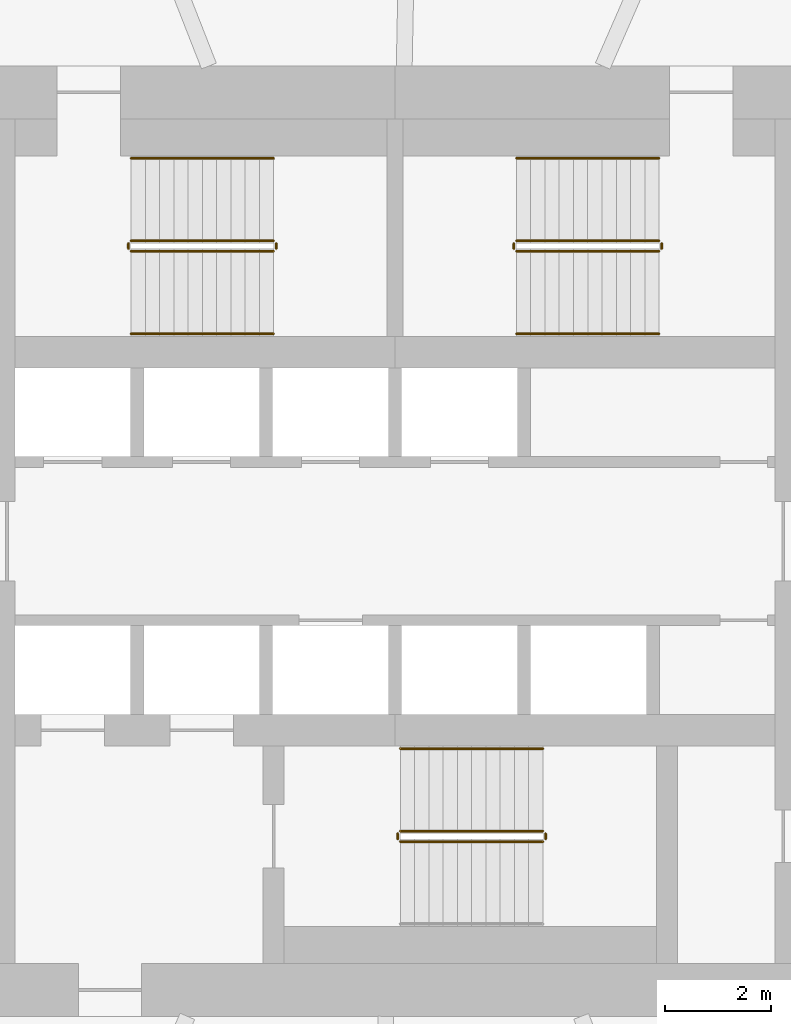
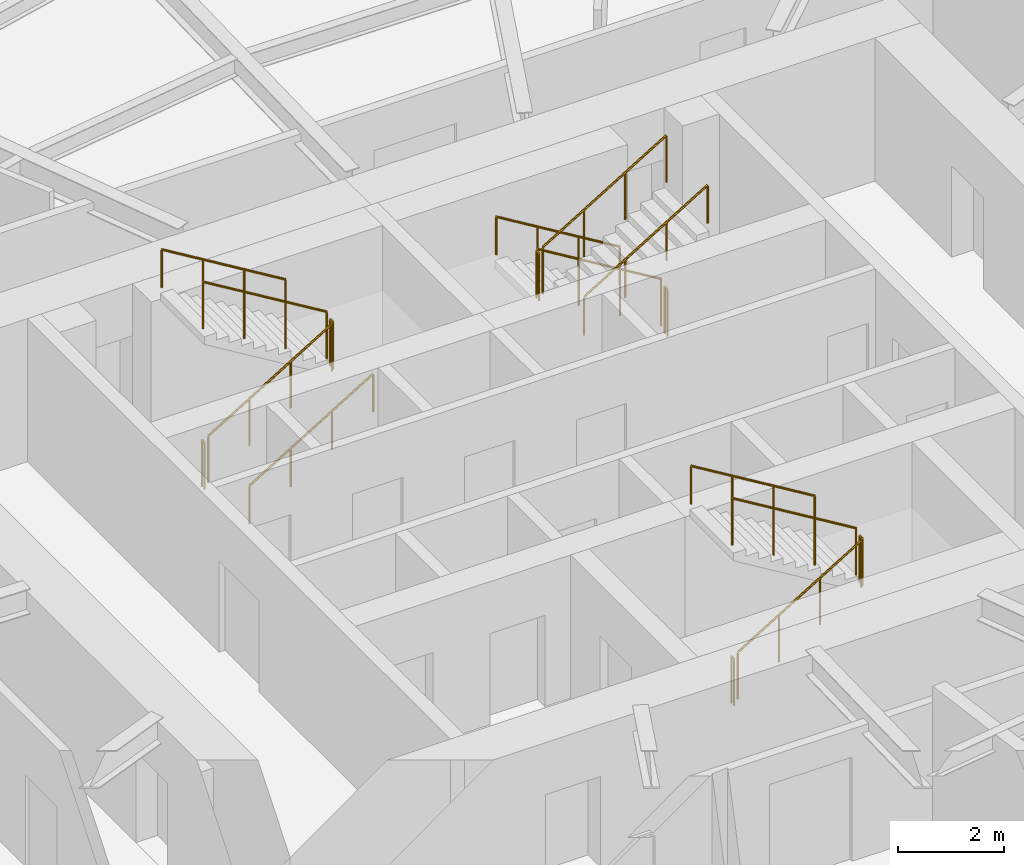
# One storey, part 13 of 15: 17 railings.
"""IFC4 building model written with IfcOpenShell, lengths in metres."""

from ifc_helpers import new_model, si_unit, direction, frame, origin, origin_2d, place, context, subcontext, project, spatial, circle, extrude, material, type_object, element, save


model = new_model("IFC4")

# Units and contexts
model_context = context("Model", 3, precision=1e-05, world=origin(), true_north=direction((0.0, 1.0)))
body_context = subcontext(model_context, "Body", "Model", "MODEL_VIEW")
ifc_project = project(units=[si_unit("LENGTHUNIT", "METRE"), si_unit("AREAUNIT", "SQUARE_METRE"), si_unit("VOLUMEUNIT", "CUBIC_METRE"), si_unit("PLANEANGLEUNIT", "RADIAN"), si_unit("MASSUNIT", "GRAM", prefix="KILO")], contexts=[model_context])

# Site, building, storey
site_placement = place(None, origin())
site = spatial("IfcSite", under=ifc_project, at=site_placement, CompositionType="ELEMENT")
building_placement = place(site_placement, origin())
building = spatial("IfcBuilding", under=site, at=building_placement, Name="Vermilion Reach Broadcast Tower", CompositionType="ELEMENT")
storey_placement = place(building_placement, frame((0.0, 0.0, 168.60009765625)))
storey = spatial("IfcBuildingStorey", under=building, at=storey_placement, Name="L40", CompositionType="ELEMENT", Elevation=168.60009765625)

# Railings
ifc_material_1 = material(Name="Stainless steel", Category="steel")
railing_type_1 = type_object("IfcRailingType", Name="Stair guard 1100", PredefinedType="GUARDRAIL", material=ifc_material_1)
railing_1_placement = place(storey_placement, frame((-11.0, 5.489990234375, 0.16357421875)))
element("IfcRailing", 1, at=railing_1_placement, inside=storey, type_object=railing_type_1, Name="L40 ST1 stair guard 1", PredefinedType="GUARDRAIL", context=body_context, shape_type="SweptSolid", body=[
    extrude(circle(Radius=0.02392578125, at=origin_2d()), frame((0.0, 0.0, 1.076171875), z_axis=(0.855212373127, 0.0, 0.518277721738), x_axis=(0.0, 1.0, 0.0)), (0.0, 0.0, 1.0), 3.156982421875),
    extrude(circle(Radius=0.02099609375, at=origin_2d()), origin(), (0.0, 0.0, 1.0), 1.052001953125),
    extrude(circle(Radius=0.02099609375, at=origin_2d()), frame((0.89990234375, 0.0, 0.54541015625)), (0.0, 0.0, 1.0), 1.052001953125),
    extrude(circle(Radius=0.02099609375, at=origin_2d()), frame((1.800048828125, 0.0, 1.0908203125)), (0.0, 0.0, 1.0), 1.052001953125),
    extrude(circle(Radius=0.02099609375, at=origin_2d()), frame((2.699951171875, 0.0, 1.63623046875)), (0.0, 0.0, 1.0), 1.052001953125),
])
railing_2_placement = place(storey_placement, frame((-8.25, 5.5400390625, 1.7998046875)))
element("IfcRailing", 2, at=railing_2_placement, inside=storey, type_object=railing_type_1, Name="L40 ST1 stair guard 2", PredefinedType="GUARDRAIL", context=body_context, shape_type="SweptSolid", body=[
    extrude(circle(Radius=0.02392578125, at=origin_2d()), frame((0.0, 0.0, 1.076171875), z_axis=(0.0, 1.0, 0.0), x_axis=(-1.0, 0.0, 0.0)), (0.0, 0.0, 1.0), 0.099853515625),
    extrude(circle(Radius=0.02099609375, at=origin_2d()), origin(), (0.0, 0.0, 1.0), 1.052001953125),
    extrude(circle(Radius=0.02099609375, at=origin_2d()), frame((0.0, 0.099853515625, 0.0)), (0.0, 0.0, 1.0), 1.052001953125),
])
railing_3_placement = place(storey_placement, frame((-8.300048828125, 5.68994140625, 1.963623046875)))
element("IfcRailing", 3, at=railing_3_placement, inside=storey, type_object=railing_type_1, Name="L40 ST1 stair guard 3", PredefinedType="GUARDRAIL", context=body_context, shape_type="SweptSolid", body=[
    extrude(circle(Radius=0.02392578125, at=origin_2d()), frame((0.0, 0.0, 1.076171875), z_axis=(-0.855212373127, 0.0, 0.518277721738), x_axis=(0.0, -1.0, 0.0)), (0.0, 0.0, 1.0), 3.156982421875),
    extrude(circle(Radius=0.02099609375, at=origin_2d()), origin(), (0.0, 0.0, 1.0), 1.052001953125),
    extrude(circle(Radius=0.02099609375, at=origin_2d()), frame((-0.89990234375, 0.0, 0.54541015625)), (0.0, 0.0, 1.0), 1.052001953125),
    extrude(circle(Radius=0.02099609375, at=origin_2d()), frame((-1.800048828125, 0.0, 1.0908203125)), (0.0, 0.0, 1.0), 1.052001953125),
    extrude(circle(Radius=0.02099609375, at=origin_2d()), frame((-2.699951171875, 0.0, 1.63623046875)), (0.0, 0.0, 1.0), 1.052001953125),
])
railing_4_placement = place(storey_placement, frame((-11.050048828125, 5.5400390625, 0.0)))
element("IfcRailing", 4, at=railing_4_placement, inside=storey, type_object=railing_type_1, Name="L40 ST1 stair guard 4", PredefinedType="GUARDRAIL", context=body_context, shape_type="SweptSolid", body=[
    extrude(circle(Radius=0.02392578125, at=origin_2d()), frame((0.0, 0.0, 1.076171875), z_axis=(0.0, 1.0, 0.0), x_axis=(-1.0, 0.0, 0.0)), (0.0, 0.0, 1.0), 0.099853515625),
    extrude(circle(Radius=0.02099609375, at=origin_2d()), origin(), (0.0, 0.0, 1.0), 1.052001953125),
    extrude(circle(Radius=0.02099609375, at=origin_2d()), frame((0.0, 0.099853515625, 0.0)), (0.0, 0.0, 1.0), 1.052001953125),
])
railing_5_placement = place(storey_placement, frame((-1.0, 5.68994140625, 0.16357421875)))
element("IfcRailing", 5, at=railing_5_placement, inside=storey, type_object=railing_type_1, Name="L40 ST2 stair guard 1", PredefinedType="GUARDRAIL", context=body_context, shape_type="SweptSolid", body=[
    extrude(circle(Radius=0.02392578125, at=origin_2d()), frame((0.0, 0.0, 1.076171875), z_axis=(-0.855212373127, 0.0, 0.518277721738), x_axis=(0.0, -1.0, 0.0)), (0.0, 0.0, 1.0), 3.156982421875),
    extrude(circle(Radius=0.02099609375, at=origin_2d()), origin(), (0.0, 0.0, 1.0), 1.052001953125),
    extrude(circle(Radius=0.02099609375, at=origin_2d()), frame((-0.89990234375, 0.0, 0.54541015625)), (0.0, 0.0, 1.0), 1.052001953125),
    extrude(circle(Radius=0.02099609375, at=origin_2d()), frame((-1.800048828125, 0.0, 1.0908203125)), (0.0, 0.0, 1.0), 1.052001953125),
    extrude(circle(Radius=0.02099609375, at=origin_2d()), frame((-2.699951171875, 0.0, 1.63623046875)), (0.0, 0.0, 1.0), 1.052001953125),
])
railing_6_placement = place(storey_placement, frame((-3.75, 5.639892578125, 1.7998046875)))
element("IfcRailing", 6, at=railing_6_placement, inside=storey, type_object=railing_type_1, Name="L40 ST2 stair guard 2", PredefinedType="GUARDRAIL", context=body_context, shape_type="SweptSolid", body=[
    extrude(circle(Radius=0.02392578125, at=origin_2d()), frame((0.0, 0.0, 1.076171875), z_axis=(0.0, -1.0, 0.0), x_axis=(1.0, 0.0, 0.0)), (0.0, 0.0, 1.0), 0.099853515625),
    extrude(circle(Radius=0.02099609375, at=origin_2d()), origin(), (0.0, 0.0, 1.0), 1.052001953125),
    extrude(circle(Radius=0.02099609375, at=origin_2d()), frame((0.0, -0.099853515625, 0.0)), (0.0, 0.0, 1.0), 1.052001953125),
])
railing_7_placement = place(storey_placement, frame((-3.699951171875, 5.489990234375, 1.963623046875)))
element("IfcRailing", 7, at=railing_7_placement, inside=storey, type_object=railing_type_1, Name="L40 ST2 stair guard 3", PredefinedType="GUARDRAIL", context=body_context, shape_type="SweptSolid", body=[
    extrude(circle(Radius=0.02392578125, at=origin_2d()), frame((0.0, 0.0, 1.076171875), z_axis=(0.855212373127, 0.0, 0.518277721738), x_axis=(0.0, 1.0, 0.0)), (0.0, 0.0, 1.0), 3.156982421875),
    extrude(circle(Radius=0.02099609375, at=origin_2d()), origin(), (0.0, 0.0, 1.0), 1.052001953125),
    extrude(circle(Radius=0.02099609375, at=origin_2d()), frame((0.89990234375, 0.0, 0.54541015625)), (0.0, 0.0, 1.0), 1.052001953125),
    extrude(circle(Radius=0.02099609375, at=origin_2d()), frame((1.800048828125, 0.0, 1.0908203125)), (0.0, 0.0, 1.0), 1.052001953125),
    extrude(circle(Radius=0.02099609375, at=origin_2d()), frame((2.699951171875, 0.0, 1.63623046875)), (0.0, 0.0, 1.0), 1.052001953125),
])
railing_8_placement = place(storey_placement, frame((-0.949951171875, 5.639892578125, 0.0)))
element("IfcRailing", 8, at=railing_8_placement, inside=storey, type_object=railing_type_1, Name="L40 ST2 stair guard 4", PredefinedType="GUARDRAIL", context=body_context, shape_type="SweptSolid", body=[
    extrude(circle(Radius=0.02392578125, at=origin_2d()), frame((0.0, 0.0, 1.076171875), z_axis=(0.0, -1.0, 0.0), x_axis=(1.0, 0.0, 0.0)), (0.0, 0.0, 1.0), 0.099853515625),
    extrude(circle(Radius=0.02099609375, at=origin_2d()), origin(), (0.0, 0.0, 1.0), 1.052001953125),
    extrude(circle(Radius=0.02099609375, at=origin_2d()), frame((0.0, -0.099853515625, 0.0)), (0.0, 0.0, 1.0), 1.052001953125),
])
railing_9_placement = place(storey_placement, frame((-5.89990234375, -5.68994140625, 0.16357421875)))
element("IfcRailing", 9, at=railing_9_placement, inside=storey, type_object=railing_type_1, Name="L40 ST3 stair guard 1", PredefinedType="GUARDRAIL", context=body_context, shape_type="SweptSolid", body=[
    extrude(circle(Radius=0.02392578125, at=origin_2d()), frame((0.0, 0.0, 1.076171875), z_axis=(0.855212373127, 0.0, 0.518277721738), x_axis=(0.0, 1.0, 0.0)), (0.0, 0.0, 1.0), 3.156982421875),
    extrude(circle(Radius=0.02099609375, at=origin_2d()), origin(), (0.0, 0.0, 1.0), 1.052001953125),
    extrude(circle(Radius=0.02099609375, at=origin_2d()), frame((0.89990234375, 0.0, 0.54541015625)), (0.0, 0.0, 1.0), 1.052001953125),
    extrude(circle(Radius=0.02099609375, at=origin_2d()), frame((1.800048828125, 0.0, 1.0908203125)), (0.0, 0.0, 1.0), 1.052001953125),
    extrude(circle(Radius=0.02099609375, at=origin_2d()), frame((2.699951171875, 0.0, 1.63623046875)), (0.0, 0.0, 1.0), 1.052001953125),
])
railing_10_placement = place(storey_placement, frame((-3.14990234375, -5.639892578125, 1.7998046875)))
element("IfcRailing", 10, at=railing_10_placement, inside=storey, type_object=railing_type_1, Name="L40 ST3 stair guard 2", PredefinedType="GUARDRAIL", context=body_context, shape_type="SweptSolid", body=[
    extrude(circle(Radius=0.02392578125, at=origin_2d()), frame((0.0, 0.0, 1.076171875), z_axis=(0.0, 1.0, 0.0), x_axis=(-1.0, 0.0, 0.0)), (0.0, 0.0, 1.0), 0.099853515625),
    extrude(circle(Radius=0.02099609375, at=origin_2d()), origin(), (0.0, 0.0, 1.0), 1.052001953125),
    extrude(circle(Radius=0.02099609375, at=origin_2d()), frame((0.0, 0.099853515625, 0.0)), (0.0, 0.0, 1.0), 1.052001953125),
])
railing_11_placement = place(storey_placement, frame((-3.199951171875, -5.489990234375, 1.963623046875)))
element("IfcRailing", 11, at=railing_11_placement, inside=storey, type_object=railing_type_1, Name="L40 ST3 stair guard 3", PredefinedType="GUARDRAIL", context=body_context, shape_type="SweptSolid", body=[
    extrude(circle(Radius=0.02392578125, at=origin_2d()), frame((0.0, 0.0, 1.076171875), z_axis=(-0.855212373127, 0.0, 0.518277721738), x_axis=(0.0, -1.0, 0.0)), (0.0, 0.0, 1.0), 3.156982421875),
    extrude(circle(Radius=0.02099609375, at=origin_2d()), origin(), (0.0, 0.0, 1.0), 1.052001953125),
    extrude(circle(Radius=0.02099609375, at=origin_2d()), frame((-0.89990234375, 0.0, 0.54541015625)), (0.0, 0.0, 1.0), 1.052001953125),
    extrude(circle(Radius=0.02099609375, at=origin_2d()), frame((-1.800048828125, 0.0, 1.0908203125)), (0.0, 0.0, 1.0), 1.052001953125),
    extrude(circle(Radius=0.02099609375, at=origin_2d()), frame((-2.699951171875, 0.0, 1.63623046875)), (0.0, 0.0, 1.0), 1.052001953125),
])
railing_12_placement = place(storey_placement, frame((-5.949951171875, -5.639892578125, 0.0)))
element("IfcRailing", 12, at=railing_12_placement, inside=storey, type_object=railing_type_1, Name="L40 ST3 stair guard 4", PredefinedType="GUARDRAIL", context=body_context, shape_type="SweptSolid", body=[
    extrude(circle(Radius=0.02392578125, at=origin_2d()), frame((0.0, 0.0, 1.076171875), z_axis=(0.0, 1.0, 0.0), x_axis=(-1.0, 0.0, 0.0)), (0.0, 0.0, 1.0), 0.099853515625),
    extrude(circle(Radius=0.02099609375, at=origin_2d()), origin(), (0.0, 0.0, 1.0), 1.052001953125),
    extrude(circle(Radius=0.02099609375, at=origin_2d()), frame((0.0, 0.099853515625, 0.0)), (0.0, 0.0, 1.0), 1.052001953125),
])
ifc_material_2 = material(Name="Stainless steel", Category="steel")
railing_type_2 = type_object("IfcRailingType", Name="Stair handrail", PredefinedType="HANDRAIL", material=ifc_material_2)
railing_13_placement = place(storey_placement, frame((-11.0, 3.929931640625, 0.16357421875)))
element("IfcRailing", 13, at=railing_13_placement, inside=storey, type_object=railing_type_2, Name="L40 ST1 stair handrail 1", PredefinedType="HANDRAIL", context=body_context, shape_type="SweptSolid", body=[
    extrude(circle(Radius=0.02392578125, at=origin_2d()), frame((0.0, 0.0, 0.8759765625), z_axis=(0.855212373127, 0.0, 0.518277721738), x_axis=(0.0, 1.0, 0.0)), (0.0, 0.0, 1.0), 3.156982421875),
    extrude(circle(Radius=0.02099609375, at=origin_2d()), origin(), (0.0, 0.0, 1.0), 0.851806640625),
    extrude(circle(Radius=0.02099609375, at=origin_2d()), frame((0.89990234375, 0.0, 0.54541015625)), (0.0, 0.0, 1.0), 0.851806640625),
    extrude(circle(Radius=0.02099609375, at=origin_2d()), frame((1.800048828125, 0.0, 1.0908203125)), (0.0, 0.0, 1.0), 0.851806640625),
    extrude(circle(Radius=0.02099609375, at=origin_2d()), frame((2.699951171875, 0.0, 1.63623046875)), (0.0, 0.0, 1.0), 0.851806640625),
])
for number, where, name in (
    (14, (-8.300048828125, 7.25, 1.963623046875), "L40 ST1 stair handrail 2"),
    (15, (-1.0, 7.25, 0.16357421875), "L40 ST2 stair handrail 1"),
):
    element("IfcRailing", number, at=place(storey_placement, frame(where)), inside=storey, type_object=railing_type_2, Name=name, PredefinedType="HANDRAIL", context=body_context, shape_type="SweptSolid", body=[
        extrude(circle(Radius=0.02392578125, at=origin_2d()), frame((0.0, 0.0, 0.8759765625), z_axis=(-0.855212373127, 0.0, 0.518277721738), x_axis=(0.0, -1.0, 0.0)), (0.0, 0.0, 1.0), 3.156982421875),
        extrude(circle(Radius=0.02099609375, at=origin_2d()), origin(), (0.0, 0.0, 1.0), 0.851806640625),
        extrude(circle(Radius=0.02099609375, at=origin_2d()), frame((-0.89990234375, 0.0, 0.54541015625)), (0.0, 0.0, 1.0), 0.851806640625),
        extrude(circle(Radius=0.02099609375, at=origin_2d()), frame((-1.800048828125, 0.0, 1.0908203125)), (0.0, 0.0, 1.0), 0.851806640625),
        extrude(circle(Radius=0.02099609375, at=origin_2d()), frame((-2.699951171875, 0.0, 1.63623046875)), (0.0, 0.0, 1.0), 0.851806640625),
    ])
railing_14_placement = place(storey_placement, frame((-3.699951171875, 3.929931640625, 1.963623046875)))
element("IfcRailing", 16, at=railing_14_placement, inside=storey, type_object=railing_type_2, Name="L40 ST2 stair handrail 2", PredefinedType="HANDRAIL", context=body_context, shape_type="SweptSolid", body=[
    extrude(circle(Radius=0.02392578125, at=origin_2d()), frame((0.0, 0.0, 0.8759765625), z_axis=(0.855212373127, 0.0, 0.518277721738), x_axis=(0.0, 1.0, 0.0)), (0.0, 0.0, 1.0), 3.156982421875),
    extrude(circle(Radius=0.02099609375, at=origin_2d()), origin(), (0.0, 0.0, 1.0), 0.851806640625),
    extrude(circle(Radius=0.02099609375, at=origin_2d()), frame((0.89990234375, 0.0, 0.54541015625)), (0.0, 0.0, 1.0), 0.851806640625),
    extrude(circle(Radius=0.02099609375, at=origin_2d()), frame((1.800048828125, 0.0, 1.0908203125)), (0.0, 0.0, 1.0), 0.851806640625),
    extrude(circle(Radius=0.02099609375, at=origin_2d()), frame((2.699951171875, 0.0, 1.63623046875)), (0.0, 0.0, 1.0), 0.851806640625),
])
railing_15_placement = place(storey_placement, frame((-3.199951171875, -3.929931640625, 1.963623046875)))
element("IfcRailing", 17, at=railing_15_placement, inside=storey, type_object=railing_type_2, Name="L40 ST3 stair handrail 2", PredefinedType="HANDRAIL", context=body_context, shape_type="SweptSolid", body=[
    extrude(circle(Radius=0.02392578125, at=origin_2d()), frame((0.0, 0.0, 0.8759765625), z_axis=(-0.855212373127, 0.0, 0.518277721738), x_axis=(0.0, -1.0, 0.0)), (0.0, 0.0, 1.0), 3.156982421875),
    extrude(circle(Radius=0.02099609375, at=origin_2d()), origin(), (0.0, 0.0, 1.0), 0.851806640625),
    extrude(circle(Radius=0.02099609375, at=origin_2d()), frame((-0.89990234375, 0.0, 0.54541015625)), (0.0, 0.0, 1.0), 0.851806640625),
    extrude(circle(Radius=0.02099609375, at=origin_2d()), frame((-1.800048828125, 0.0, 1.0908203125)), (0.0, 0.0, 1.0), 0.851806640625),
    extrude(circle(Radius=0.02099609375, at=origin_2d()), frame((-2.699951171875, 0.0, 1.63623046875)), (0.0, 0.0, 1.0), 0.851806640625),
])

save(model, "model.ifc")
